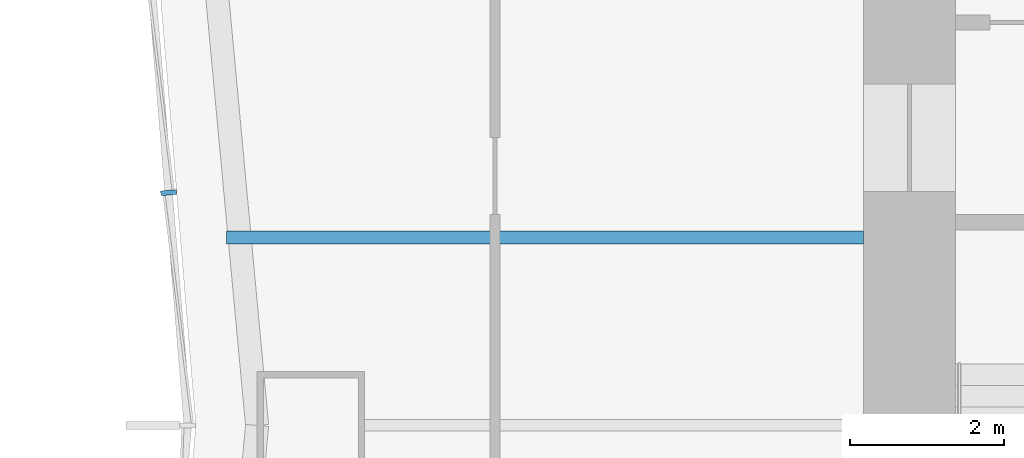
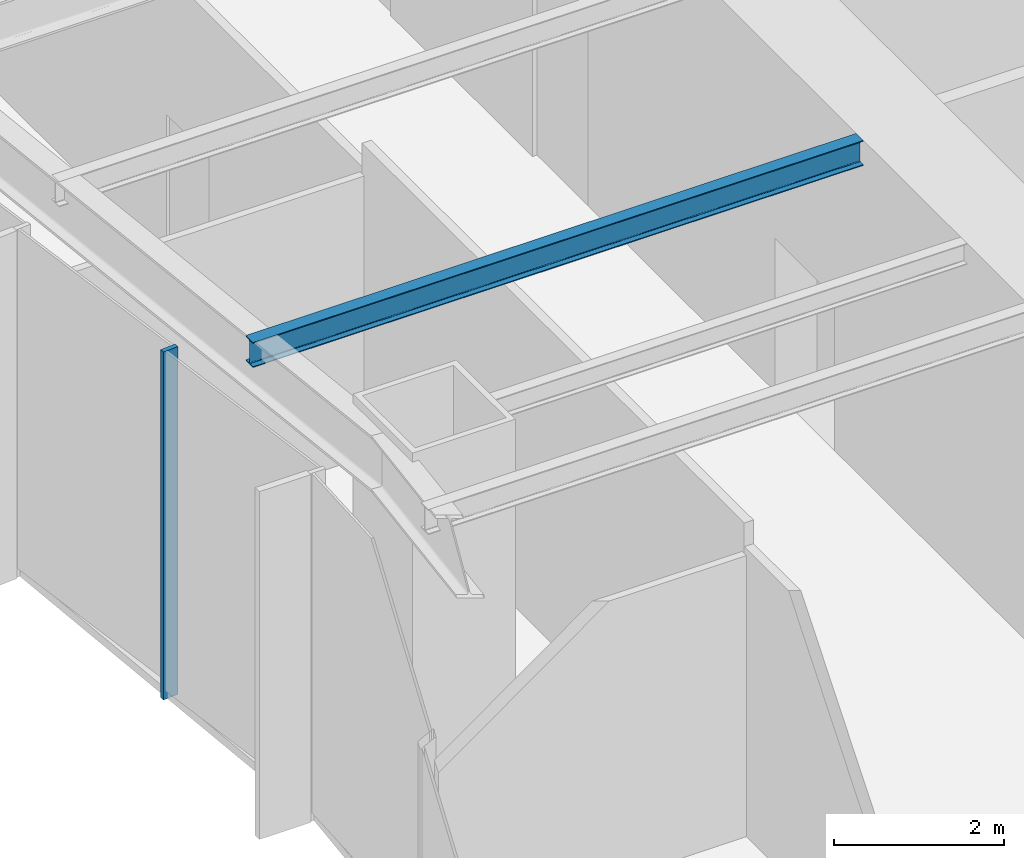
# One storey, part 3 of 15: 1 beam, 1 member, 1 element without a shape of its own.
"""IFC4 building model written with IfcOpenShell, lengths in metres."""

from ifc_helpers import new_model, si_unit, direction, frame, origin, origin_2d, place, context, subcontext, project, spatial, rectangle, i_section, extrude, material, material_profile, profile_set, type_object, element, aggregate, save


model = new_model("IFC4")

# Units and contexts
model_context = context("Model", 3, precision=1e-05, world=origin(), true_north=direction((0.0, 1.0)))
body_context = subcontext(model_context, "Body", "Model", "MODEL_VIEW")
ifc_project = project(units=[si_unit("LENGTHUNIT", "METRE"), si_unit("AREAUNIT", "SQUARE_METRE"), si_unit("VOLUMEUNIT", "CUBIC_METRE"), si_unit("PLANEANGLEUNIT", "RADIAN"), si_unit("MASSUNIT", "GRAM", prefix="KILO")], contexts=[model_context])

# Site, building, storey
site_placement = place(None, origin())
site = spatial("IfcSite", under=ifc_project, at=site_placement, CompositionType="ELEMENT")
building_placement = place(site_placement, origin())
building = spatial("IfcBuilding", under=site, at=building_placement, Name="Verdant Reach Tower", CompositionType="ELEMENT")
storey_placement = place(building_placement, frame((0.0, 0.0, 65.0)))
storey = spatial("IfcBuildingStorey", under=building, at=storey_placement, Name="L14", CompositionType="ELEMENT", Elevation=65.0)

# Curtain wall, member
ifc_material_1 = material(Name="Anodised aluminium", Category="aluminium")
curtain_wall_type = type_object("IfcCurtainWallType", Name="EN-CW SYSTEM Z1", PredefinedType="NOTDEFINED", material=ifc_material_1)
curtain_wall_placement = place(storey_placement, origin())
curtain_wall = element("IfcCurtainWall", 1, at=curtain_wall_placement, inside=storey, type_object=curtain_wall_type, Name="Curtain wall west, L14", PredefinedType="NOTDEFINED")
ifc_material_profile_1 = material_profile(ifc_material_1, rectangle(XDim=0.2060546875, YDim=0.06201171875, at=origin_2d()), Name="Mullion 62x206")
ifc_profile_set_1 = profile_set([ifc_material_profile_1], Name="Anodised aluminium")
member_type = type_object("IfcMemberType", Name="EN-MULLION Z1", PredefinedType="MULLION", material=ifc_profile_set_1)
member_placement = place(storey_placement, frame((-22.8525390625, 31.783203125, -0.35009765625), z_axis=(0.0, 0.0, 1.0), x_axis=(-0.996639273542, -0.081915556724, 0.0)))
member = element("IfcMember", 2, at=member_placement, type_object=member_type, Name="Mullion west face part 1 6, L14", PredefinedType="MULLION", context=body_context, shape_type="SweptSolid", body=[
    extrude(rectangle(XDim=0.2060546875, YDim=0.06201171875, at=origin_2d()), origin(), (0.0, 0.0, 1.0), 5.0),
])
aggregate(curtain_wall, [member])

# Beam
ifc_material_2 = material(Name="Steel S355", Category="steel")
ifc_material_profile_2 = material_profile(ifc_material_2, i_section(OverallWidth=0.169921875, OverallDepth=0.360107421875, WebThickness=0.008056640625, FlangeThickness=0.0126953125, FilletRadius=0.01806640625, at=origin_2d()), Name="IPE 360")
ifc_profile_set_2 = profile_set([ifc_material_profile_2], Name="Steel S355")
beam_type = type_object("IfcBeamType", Name="ST-JOIST-IPE360", PredefinedType="JOIST", material=ifc_profile_set_2)
beam_placement = place(storey_placement, frame((-13.800048828125, 31.199951171875, 4.68994140625), z_axis=(-1.0, 0.0, 0.0), x_axis=(0.0, -1.0, 0.0)))
element("IfcBeam", 3, at=beam_placement, inside=storey, type_object=beam_type, Name="Floor joist, L14", PredefinedType="JOIST", context=body_context, shape_type="SweptSolid", body=[
    extrude(i_section(OverallWidth=0.169921875, OverallDepth=0.360107421875, WebThickness=0.008056640625, FlangeThickness=0.0126953125, FilletRadius=0.01806640625, at=origin_2d()), origin(), (0.0, 0.0, 1.0), 8.29931640625),
])

save(model, "model.ifc")
